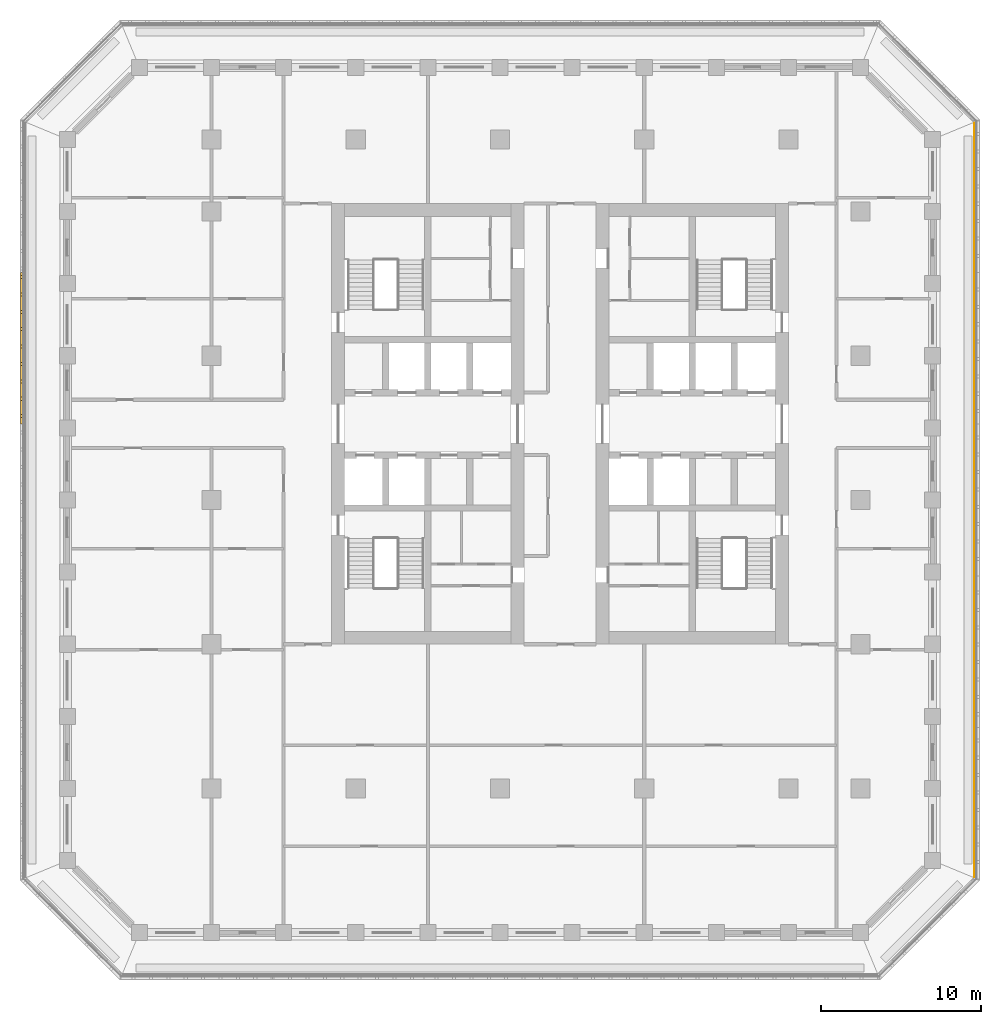
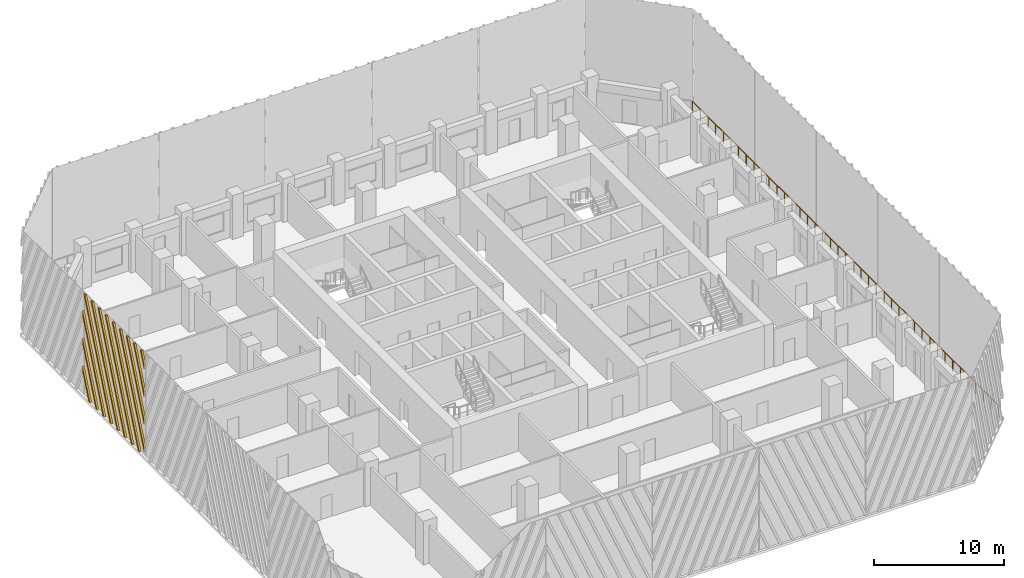
# One storey, part 14 of 18: 1 railing, 1 shading device.
"""IFC4 building model written with IfcOpenShell, lengths in metres."""

from ifc_helpers import new_model, si_unit, direction, frame, origin, origin_2d, place, context, subcontext, project, spatial, polyline, circle, outline, extrude, source, transform, mapped, material, type_object, element, save


model = new_model("IFC4")

# Units and contexts
model_context = context("Model", 3, precision=1e-05, world=origin(), true_north=direction((0.0, 1.0)))
body_context = subcontext(model_context, "Body", "Model", "MODEL_VIEW")
ifc_project = project(units=[si_unit("LENGTHUNIT", "METRE"), si_unit("AREAUNIT", "SQUARE_METRE"), si_unit("VOLUMEUNIT", "CUBIC_METRE"), si_unit("PLANEANGLEUNIT", "RADIAN"), si_unit("MASSUNIT", "GRAM", prefix="KILO")], contexts=[model_context])

# Site, building, storey
site_placement = place(None, origin())
site = spatial("IfcSite", under=ifc_project, at=site_placement, CompositionType="ELEMENT")
building_placement = place(site_placement, origin())
building = spatial("IfcBuilding", under=site, at=building_placement, Name="Corbel Stack Research Tower", CompositionType="ELEMENT")
storey_placement = place(building_placement, frame((0.0, 0.0, 181.39990234375)))
storey = spatial("IfcBuildingStorey", under=building, at=storey_placement, Name="L41", CompositionType="ELEMENT", Elevation=181.39990234375)

# Railing
ifc_material_1 = material(Name="Powder-coated steel guard", Category="steel")
railing_type = type_object("IfcRailingType", Name="Steel and glass guard 1100", PredefinedType="GUARDRAIL", material=ifc_material_1)
railing_placement = place(storey_placement, frame((29.60009765625, -23.50537109375, 0.0)))
element("IfcRailing", 1, at=railing_placement, inside=storey, type_object=railing_type, Name="Loggia guard L41 E", PredefinedType="GUARDRAIL", context=body_context, shape_type="SweptSolid", body=[
    extrude(circle(Radius=0.02392578125, at=origin_2d()), frame((0.0, 0.0, 1.076171875), z_axis=(0.0, 1.0, 0.0), x_axis=(-1.0, 0.0, 0.0)), (0.0, 0.0, 1.0), 47.0107421875),
    extrude(circle(Radius=0.02099609375, at=origin_2d()), origin(), (0.0, 0.0, 1.0), 1.052001953125),
    extrude(circle(Radius=0.02099609375, at=origin_2d()), frame((0.0, 1.17529296875, 0.0)), (0.0, 0.0, 1.0), 1.052001953125),
    extrude(circle(Radius=0.02099609375, at=origin_2d()), frame((0.0, 2.3505859375, 0.0)), (0.0, 0.0, 1.0), 1.052001953125),
    extrude(circle(Radius=0.02099609375, at=origin_2d()), frame((0.0, 3.52587890625, 0.0)), (0.0, 0.0, 1.0), 1.052001953125),
    extrude(circle(Radius=0.02099609375, at=origin_2d()), frame((0.0, 4.701171875, 0.0)), (0.0, 0.0, 1.0), 1.052001953125),
    extrude(circle(Radius=0.02099609375, at=origin_2d()), frame((0.0, 5.87646484375, 0.0)), (0.0, 0.0, 1.0), 1.052001953125),
    extrude(circle(Radius=0.02099609375, at=origin_2d()), frame((0.0, 7.051513671875, 0.0)), (0.0, 0.0, 1.0), 1.052001953125),
    extrude(circle(Radius=0.02099609375, at=origin_2d()), frame((0.0, 8.226806640625, 0.0)), (0.0, 0.0, 1.0), 1.052001953125),
    extrude(circle(Radius=0.02099609375, at=origin_2d()), frame((0.0, 9.402099609375, 0.0)), (0.0, 0.0, 1.0), 1.052001953125),
    extrude(circle(Radius=0.02099609375, at=origin_2d()), frame((0.0, 10.577392578125, 0.0)), (0.0, 0.0, 1.0), 1.052001953125),
    extrude(circle(Radius=0.02099609375, at=origin_2d()), frame((0.0, 11.752685546875, 0.0)), (0.0, 0.0, 1.0), 1.052001953125),
    extrude(circle(Radius=0.02099609375, at=origin_2d()), frame((0.0, 12.927978515625, 0.0)), (0.0, 0.0, 1.0), 1.052001953125),
    extrude(circle(Radius=0.02099609375, at=origin_2d()), frame((0.0, 14.103271484375, 0.0)), (0.0, 0.0, 1.0), 1.052001953125),
    extrude(circle(Radius=0.02099609375, at=origin_2d()), frame((0.0, 15.278564453125, 0.0)), (0.0, 0.0, 1.0), 1.052001953125),
    extrude(circle(Radius=0.02099609375, at=origin_2d()), frame((0.0, 16.453857421875, 0.0)), (0.0, 0.0, 1.0), 1.052001953125),
    extrude(circle(Radius=0.02099609375, at=origin_2d()), frame((0.0, 17.62890625, 0.0)), (0.0, 0.0, 1.0), 1.052001953125),
    extrude(circle(Radius=0.02099609375, at=origin_2d()), frame((0.0, 18.80419921875, 0.0)), (0.0, 0.0, 1.0), 1.052001953125),
    extrude(circle(Radius=0.02099609375, at=origin_2d()), frame((0.0, 19.9794921875, 0.0)), (0.0, 0.0, 1.0), 1.052001953125),
    extrude(circle(Radius=0.02099609375, at=origin_2d()), frame((0.0, 21.15478515625, 0.0)), (0.0, 0.0, 1.0), 1.052001953125),
    extrude(circle(Radius=0.02099609375, at=origin_2d()), frame((0.0, 22.330078125, 0.0)), (0.0, 0.0, 1.0), 1.052001953125),
    extrude(circle(Radius=0.02099609375, at=origin_2d()), frame((0.0, 23.50537109375, 0.0)), (0.0, 0.0, 1.0), 1.052001953125),
    extrude(circle(Radius=0.02099609375, at=origin_2d()), frame((0.0, 24.6806640625, 0.0)), (0.0, 0.0, 1.0), 1.052001953125),
    extrude(circle(Radius=0.02099609375, at=origin_2d()), frame((0.0, 25.85595703125, 0.0)), (0.0, 0.0, 1.0), 1.052001953125),
    extrude(circle(Radius=0.02099609375, at=origin_2d()), frame((0.0, 27.03125, 0.0)), (0.0, 0.0, 1.0), 1.052001953125),
    extrude(circle(Radius=0.02099609375, at=origin_2d()), frame((0.0, 28.20654296875, 0.0)), (0.0, 0.0, 1.0), 1.052001953125),
    extrude(circle(Radius=0.02099609375, at=origin_2d()), frame((0.0, 29.3818359375, 0.0)), (0.0, 0.0, 1.0), 1.052001953125),
    extrude(circle(Radius=0.02099609375, at=origin_2d()), frame((0.0, 30.556884765625, 0.0)), (0.0, 0.0, 1.0), 1.052001953125),
    extrude(circle(Radius=0.02099609375, at=origin_2d()), frame((0.0, 31.732177734375, 0.0)), (0.0, 0.0, 1.0), 1.052001953125),
    extrude(circle(Radius=0.02099609375, at=origin_2d()), frame((0.0, 32.907470703125, 0.0)), (0.0, 0.0, 1.0), 1.052001953125),
    extrude(circle(Radius=0.02099609375, at=origin_2d()), frame((0.0, 34.082763671875, 0.0)), (0.0, 0.0, 1.0), 1.052001953125),
    extrude(circle(Radius=0.02099609375, at=origin_2d()), frame((0.0, 35.258056640625, 0.0)), (0.0, 0.0, 1.0), 1.052001953125),
    extrude(circle(Radius=0.02099609375, at=origin_2d()), frame((0.0, 36.433349609375, 0.0)), (0.0, 0.0, 1.0), 1.052001953125),
    extrude(circle(Radius=0.02099609375, at=origin_2d()), frame((0.0, 37.608642578125, 0.0)), (0.0, 0.0, 1.0), 1.052001953125),
    extrude(circle(Radius=0.02099609375, at=origin_2d()), frame((0.0, 38.783935546875, 0.0)), (0.0, 0.0, 1.0), 1.052001953125),
    extrude(circle(Radius=0.02099609375, at=origin_2d()), frame((0.0, 39.959228515625, 0.0)), (0.0, 0.0, 1.0), 1.052001953125),
    extrude(circle(Radius=0.02099609375, at=origin_2d()), frame((0.0, 41.13427734375, 0.0)), (0.0, 0.0, 1.0), 1.052001953125),
    extrude(circle(Radius=0.02099609375, at=origin_2d()), frame((0.0, 42.3095703125, 0.0)), (0.0, 0.0, 1.0), 1.052001953125),
    extrude(circle(Radius=0.02099609375, at=origin_2d()), frame((0.0, 43.48486328125, 0.0)), (0.0, 0.0, 1.0), 1.052001953125),
    extrude(circle(Radius=0.02099609375, at=origin_2d()), frame((0.0, 44.66015625, 0.0)), (0.0, 0.0, 1.0), 1.052001953125),
    extrude(circle(Radius=0.02099609375, at=origin_2d()), frame((0.0, 45.83544921875, 0.0)), (0.0, 0.0, 1.0), 1.052001953125),
    extrude(circle(Radius=0.02099609375, at=origin_2d()), frame((0.0, 47.0107421875, 0.0)), (0.0, 0.0, 1.0), 1.052001953125),
])

# Shading device
ifc_material_2 = material(Name="Precast terracotta", Category="masonry")
shading_device_type = type_object("IfcShadingDeviceType", Name="Terracotta screen panel", PredefinedType="USERDEFINED", material=ifc_material_2)
shared_shape = source(origin(), body_context, "Body", "SweptSolid", [
    extrude(outline(polyline([(1.14453125, 0.0), (0.0, 2.740478515625), (0.0, 2.285400390625), (0.95458984375, 0.0), (1.14453125, 0.0)])), frame((0.0, 0.0, 0.0), z_axis=(0.0, -1.0, 0.0), x_axis=(1.0, 0.0, 0.0)), (0.0, 0.0, 1.0), 0.179931640625),
    extrude(outline(polyline([(2.22900390625, 0.0), (0.0, 5.337646484375), (0.0, 4.882568359375), (2.0390625, 0.0), (2.22900390625, 0.0)])), frame((0.0, 0.0, 0.0), z_axis=(0.0, -1.0, 0.0), x_axis=(1.0, 0.0, 0.0)), (0.0, 0.0, 1.0), 0.179931640625),
    extrude(outline(polyline([(3.313720703125, 0.0), (0.0, 7.934814453125), (0.0, 7.479736328125), (3.123779296875, 0.0), (3.313720703125, 0.0)])), frame((0.0, 0.0, 0.0), z_axis=(0.0, -1.0, 0.0), x_axis=(1.0, 0.0, 0.0)), (0.0, 0.0, 1.0), 0.179931640625),
    extrude(outline(polyline([(4.3984375, 0.0), (0.368408203125, 9.64990234375), (0.17822265625, 9.64990234375), (4.20849609375, 0.0), (4.3984375, 0.0)])), frame((0.0, 0.0, 0.0), z_axis=(0.0, -1.0, 0.0), x_axis=(1.0, 0.0, 0.0)), (0.0, 0.0, 1.0), 0.179931640625),
    extrude(outline(polyline([(5.483154296875, 0.0), (1.452880859375, 9.64990234375), (1.262939453125, 9.64990234375), (5.293212890625, 0.0), (5.483154296875, 0.0)])), frame((0.0, 0.0, 0.0), z_axis=(0.0, -1.0, 0.0), x_axis=(1.0, 0.0, 0.0)), (0.0, 0.0, 1.0), 0.179931640625),
    extrude(outline(polyline([(6.56787109375, 0.0), (2.53759765625, 9.64990234375), (2.34765625, 9.64990234375), (6.377685546875, 0.0), (6.56787109375, 0.0)])), frame((0.0, 0.0, 0.0), z_axis=(0.0, -1.0, 0.0), x_axis=(1.0, 0.0, 0.0)), (0.0, 0.0, 1.0), 0.179931640625),
    extrude(outline(polyline([(7.652587890625, 0.0), (3.622314453125, 9.64990234375), (3.432373046875, 9.64990234375), (7.46240234375, 0.0), (7.652587890625, 0.0)])), frame((0.0, 0.0, 0.0), z_axis=(0.0, -1.0, 0.0), x_axis=(1.0, 0.0, 0.0)), (0.0, 0.0, 1.0), 0.179931640625),
    extrude(outline(polyline([(8.737060546875, 0.0), (4.70703125, 9.64990234375), (4.51708984375, 9.64990234375), (8.547119140625, 0.0), (8.737060546875, 0.0)])), frame((0.0, 0.0, 0.0), z_axis=(0.0, -1.0, 0.0), x_axis=(1.0, 0.0, 0.0)), (0.0, 0.0, 1.0), 0.179931640625),
    extrude(outline(polyline([(5.79150390625, 9.64990234375), (5.6015625, 9.64990234375), (9.45556640625, 0.421875), (9.45556640625, 0.876708984375), (5.79150390625, 9.64990234375)])), frame((0.0, 0.0, 0.0), z_axis=(0.0, -1.0, 0.0), x_axis=(1.0, 0.0, 0.0)), (0.0, 0.0, 1.0), 0.179931640625),
    extrude(outline(polyline([(6.876220703125, 9.64990234375), (6.686279296875, 9.64990234375), (9.45556640625, 3.01904296875), (9.45556640625, 3.473876953125), (6.876220703125, 9.64990234375)])), frame((0.0, 0.0, 0.0), z_axis=(0.0, -1.0, 0.0), x_axis=(1.0, 0.0, 0.0)), (0.0, 0.0, 1.0), 0.179931640625),
    extrude(outline(polyline([(7.9609375, 9.64990234375), (7.77099609375, 9.64990234375), (9.45556640625, 5.6162109375), (9.45556640625, 6.071044921875), (7.9609375, 9.64990234375)])), frame((0.0, 0.0, 0.0), z_axis=(0.0, -1.0, 0.0), x_axis=(1.0, 0.0, 0.0)), (0.0, 0.0, 1.0), 0.179931640625),
    extrude(outline(polyline([(9.045654296875, 9.64990234375), (8.855712890625, 9.64990234375), (9.45556640625, 8.21337890625), (9.45556640625, 8.668212890625), (9.045654296875, 9.64990234375)])), frame((0.0, 0.0, 0.0), z_axis=(0.0, -1.0, 0.0), x_axis=(1.0, 0.0, 0.0)), (0.0, 0.0, 1.0), 0.179931640625),
])
shading_device_placement = place(storey_placement, frame((-29.75, 14.18359375, 0.0), z_axis=(0.0, 0.0, 1.0), x_axis=(0.0, -1.0, 0.0)))
element("IfcShadingDevice", 2, at=shading_device_placement, inside=storey, type_object=shading_device_type, Name="Terracotta screen L41 W2", ObjectType="SCREEN", PredefinedType="USERDEFINED", context=body_context, shape_type="MappedRepresentation", body=[
    mapped(shared_shape, transform((0.0, 0.0, 0.0))),
])

save(model, "model.ifc")
